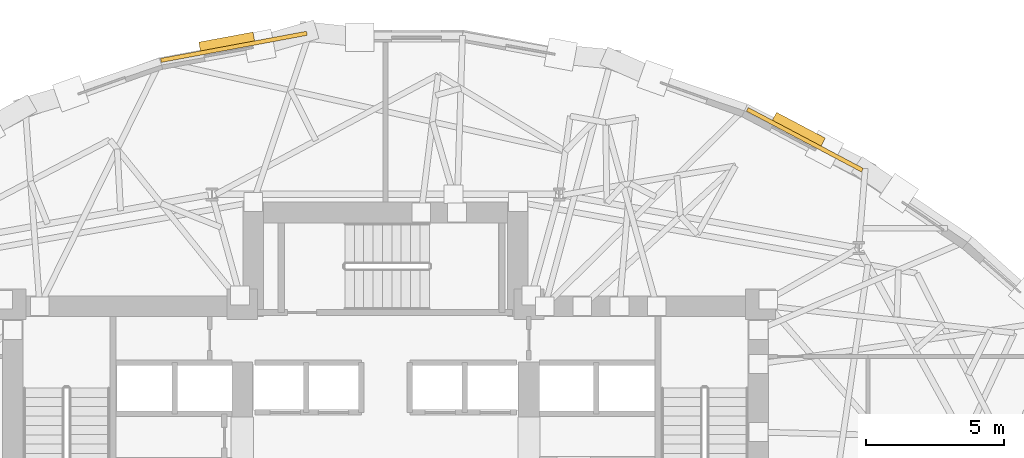
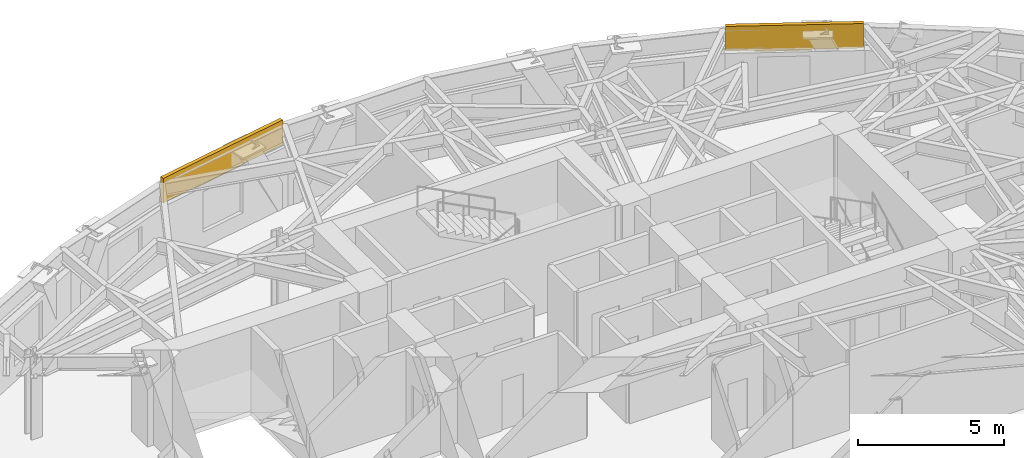
# One storey, part 15 of 15: 2 coverings, 2 shading devices.
"""IFC4 building model written with IfcOpenShell, lengths in metres."""

import ifcopenshell
import ifcopenshell.guid

model = None  # the IFC model being written
_history = None  # IfcOwnerHistory: only IFC2X3 demands one
_inside = {}  # id of a spatial element -> (the spatial element, [elements in it])
_under = {}  # id of a project, library or spatial element -> (it, [spatial elements below it])
_declared = {}  # id of a project -> (the project, [libraries it declares])
_typed = {}  # id of a type object -> (the type object, [elements of that type])
_made_of = {}  # id of a material, layer set ... -> (it, [elements and type objects made of it])


def new_model(schema):
    """Start an empty IFC model of exactly this schema.

    Asked for "IFC4X3", IfcOpenShell would pick the latest addendum, in which some entities
    have other attributes; the version numbers below select the first issue.
    IFC2X3 requires an IfcOwnerHistory on every rooted entity: one is made here for all.
    """
    global model, _history
    if schema == "IFC4X3":
        model = ifcopenshell.file(schema_version=(4, 3, 0, 0))
    else:
        model = ifcopenshell.file(schema=schema)
    _inside.clear()
    _under.clear()
    _declared.clear()
    _typed.clear()
    _made_of.clear()
    _history = None
    if model.schema == "IFC2X3":
        org = make("IfcOrganization", Name="unknown")
        user = make(
            "IfcPersonAndOrganization",
            ThePerson=make("IfcPerson", FamilyName="unknown"),
            TheOrganization=org,
        )
        app = make(
            "IfcApplication",
            ApplicationDeveloper=org,
            Version="unknown",
            ApplicationFullName="unknown",
            ApplicationIdentifier="unknown",
        )
        _history = make(
            "IfcOwnerHistory",
            OwningUser=user,
            OwningApplication=app,
            ChangeAction="ADDED",
            CreationDate=0,
        )
    return model


def make(cls, **values):
    """One entity of the class cls with the attributes given. An attribute that is None is left unset."""
    return model.create_entity(
        cls, **{name: value for name, value in values.items() if value is not None}
    )


def rooted(cls, **values):
    """An entity with a GlobalId (a new one), such as an element, a storey or a relation."""
    return make(cls, GlobalId=ifcopenshell.guid.new(), OwnerHistory=_history, **values)


def si_unit(unit_type, name, prefix=None):
    """IfcSIUnit, for example si_unit("LENGTHUNIT", "METRE", prefix="MILLI")."""
    return make("IfcSIUnit", UnitType=unit_type, Prefix=prefix, Name=name)


def assignment(units):
    """IfcUnitAssignment: the units of a project."""
    return None if units is None else make("IfcUnitAssignment", Units=units)


def point(xyz):
    """IfcCartesianPoint."""
    return None if xyz is None else make("IfcCartesianPoint", Coordinates=xyz)


def direction(xyz):
    """IfcDirection."""
    return None if xyz is None else make("IfcDirection", DirectionRatios=xyz)


def frame(location, z_axis=None, x_axis=None):
    """IfcAxis2Placement3D, a coordinate frame: its origin and axes. An axis left out is left unset."""
    return make(
        "IfcAxis2Placement3D",
        Location=point(location),
        Axis=direction(z_axis),
        RefDirection=direction(x_axis),
    )


def frame_2d(location, x_axis=None):
    """IfcAxis2Placement2D, a coordinate frame in the plane: its origin and x axis."""
    return make(
        "IfcAxis2Placement2D", Location=point(location), RefDirection=direction(x_axis)
    )


def origin():
    """The frame at (0, 0, 0) with its axes left unset."""
    return frame((0.0, 0.0, 0.0))


def origin_2d():
    """The frame at (0, 0) in the plane with its x axis left unset."""
    return frame_2d((0.0, 0.0))


def place(relative_to, where):
    """IfcLocalPlacement: puts the frame where relative to a parent placement (None: the world)."""
    return make(
        "IfcLocalPlacement", PlacementRelTo=relative_to, RelativePlacement=where
    )


def context(
    kind, dimensions, precision=None, world=None, true_north=None, identifier=None
):
    """IfcGeometricRepresentationContext, for example the 3D "Model" context."""
    return make(
        "IfcGeometricRepresentationContext",
        ContextIdentifier=identifier,
        ContextType=kind,
        CoordinateSpaceDimension=dimensions,
        Precision=precision,
        WorldCoordinateSystem=world,
        TrueNorth=true_north,
    )


def subcontext(parent, identifier, kind, view, scale=None):
    """IfcGeometricRepresentationSubContext, for example "Body" below "Model"."""
    return make(
        "IfcGeometricRepresentationSubContext",
        ContextIdentifier=identifier,
        ContextType=kind,
        ParentContext=parent,
        TargetScale=scale,
        TargetView=view,
    )


def project(units=None, contexts=None):
    """IfcProject with its units and contexts."""
    return rooted(
        "IfcProject",
        Name="project",
        RepresentationContexts=contexts,
        UnitsInContext=assignment(units),
    )


def spatial(cls, under=None, at=None, **own):
    """A site, building, storey or space (cls), placed at a placement, below another one or the project."""
    s = rooted(cls, ObjectPlacement=at, **own)
    if under is not None:
        _under.setdefault(under.id(), (under, []))[1].append(s)
    return s


def profile(cls, at=None, kind="AREA", **sizes):
    """A parametric profile (cls). Its sizes go by their IFC names, for example OverallWidth=200.0."""
    return make(cls, ProfileType=kind, Position=at, **sizes)


def rectangle(**sizes):
    """IfcRectangleProfileDef."""
    return profile("IfcRectangleProfileDef", **sizes)


def extrude(swept, where, along, depth):
    """IfcExtrudedAreaSolid: the profile swept, set in the frame where, extruded along a direction by depth."""
    return make(
        "IfcExtrudedAreaSolid",
        SweptArea=swept,
        Position=where,
        ExtrudedDirection=direction(along),
        Depth=depth,
    )


def shape(context_of_items, identifier, shape_type, items):
    """IfcShapeRepresentation: the items that make up one representation, for example the "Body"."""
    return make(
        "IfcShapeRepresentation",
        ContextOfItems=context_of_items,
        RepresentationIdentifier=identifier,
        RepresentationType=shape_type,
        Items=items,
    )


def material(Name=None, Category=None):
    """IfcMaterial."""
    return make("IfcMaterial", Name=Name, Category=Category)


def layer(
    of_material, thickness, ventilated=None, Name=None, Category=None, Priority=None
):
    """IfcMaterialLayer: one layer of a wall or slab, of a material (None: an air gap)."""
    return make(
        "IfcMaterialLayer",
        Material=of_material,
        LayerThickness=thickness,
        IsVentilated=ventilated,
        Name=Name,
        Category=Category,
        Priority=Priority,
    )


def layer_set(layers, Name=None):
    """IfcMaterialLayerSet."""
    return make("IfcMaterialLayerSet", MaterialLayers=layers, LayerSetName=Name)


def made_of(thing, what):
    """Note that an element or type object is made of a material, layer set ...; save() writes the relation."""
    if what is not None:
        _made_of.setdefault(what.id(), (what, []))[1].append(thing)
    return thing


def type_object(cls, material=None, **own):
    """A type object (cls), such as IfcWallType, which elements share."""
    return made_of(rooted(cls, **own), material)


def element(
    cls,
    number,
    at=None,
    inside=None,
    cuts=None,
    type_object=None,
    material=None,
    context=None,
    identifier="Body",
    shape_type=None,
    held_by="IfcProductDefinitionShape",
    body=None,
    shapes=None,
    **own,
):
    """One element of the class cls, such as IfcWall. Its Tag is "e" and its number.

    at: its placement. inside: the storey or other place that contains it. cuts: it is an
    opening in that element (IfcRelVoidsElement). A single representation is given by context,
    identifier, shape_type and body (its items); several are given by shapes. held_by: the class
    of the entity that holds the representations. save() writes the other relations.
    """
    e = rooted(cls, Tag="e%d" % number, ObjectPlacement=at, **own)
    if body is not None:
        shapes = [shape(context, identifier, shape_type, body)]
    if shapes is not None:
        e.Representation = make(held_by, Representations=shapes)
    if inside is not None:
        _inside.setdefault(inside.id(), (inside, []))[1].append(e)
    if cuts is not None:
        rooted(
            "IfcRelVoidsElement", RelatingBuildingElement=cuts, RelatedOpeningElement=e
        )
    if type_object is not None:
        _typed.setdefault(type_object.id(), (type_object, []))[1].append(e)
    return made_of(e, material)


def aggregate(whole, parts):
    """IfcRelAggregates: a whole, such as a stair, and the parts it consists of."""
    return rooted("IfcRelAggregates", RelatingObject=whole, RelatedObjects=parts)


def save(model, path):
    """Write the relations noted so far, then the file.

    IfcRelAggregates (storeys below a building ...), IfcRelContainedInSpatialStructure (elements
    in a storey), IfcRelDefinesByType, IfcRelAssociatesMaterial and IfcRelDeclares: one each for
    every whole, place, type object, material and project.
    """
    for whole, parts in _under.values():
        aggregate(whole, parts)
    for where, things in _inside.values():
        rooted(
            "IfcRelContainedInSpatialStructure",
            RelatedElements=things,
            RelatingStructure=where,
        )
    for kind, things in _typed.values():
        rooted("IfcRelDefinesByType", RelatedObjects=things, RelatingType=kind)
    for what, things in _made_of.values():
        rooted("IfcRelAssociatesMaterial", RelatedObjects=things, RelatingMaterial=what)
    for by, libraries in _declared.values():
        rooted("IfcRelDeclares", RelatingContext=by, RelatedDefinitions=libraries)
    model.write(path)


model = new_model("IFC4")

# Units and contexts
model_context = context("Model", 3, precision=1e-05, world=origin(), true_north=direction((0.0, 1.0)))
body_context = subcontext(model_context, "Body", "Model", "MODEL_VIEW")
ifc_project = project(units=[si_unit("LENGTHUNIT", "METRE"), si_unit("AREAUNIT", "SQUARE_METRE"), si_unit("VOLUMEUNIT", "CUBIC_METRE"), si_unit("PLANEANGLEUNIT", "RADIAN"), si_unit("MASSUNIT", "GRAM", prefix="KILO")], contexts=[model_context])

# Site, building, storey
site_placement = place(None, origin())
site = spatial("IfcSite", under=ifc_project, at=site_placement, CompositionType="ELEMENT")
building_placement = place(site_placement, origin())
building = spatial("IfcBuilding", under=site, at=building_placement, Name="Keldmark Tower", CompositionType="ELEMENT")
storey_placement = place(building_placement, frame((0.0, 0.0, 93.10009765625)))
storey = spatial("IfcBuildingStorey", under=building, at=storey_placement, Name="L24", CompositionType="ELEMENT", Elevation=93.10009765625)

# Shading devices
ifc_material_1 = material(Name="Kasota Buff Limestone Bullnose and Bronze Anodized Aluminum", Category="masonry")
ifc_layer_1 = layer(ifc_material_1, 0.080078125)
ifc_layer_set_1 = layer_set([ifc_layer_1], Name="Kasota Buff Limestone Bullnose and Bronze Anodized Aluminum")
shading_device_type = type_object("IfcShadingDeviceType", Name="Deep-Set Punched Window Stone-and-Metal Sunshade", PredefinedType="AWNING", material=ifc_layer_set_1)
for number, where, z_axis, x_axis, name in (
    (1, (14.9697265625, 15.75390625, 2.35986328125), (0.0, 0.0, 1.0), (0.883969718852, -0.467544154228, 0.0), "L24 Kasota Stone Window Sunshade 05"),
    (2, (-5.75634765625, 18.92919921875, 2.35986328125), (0.0, 0.0, 1.0), (0.983168921925, 0.1826988532, 0.0), "L24 Kasota Stone Window Sunshade 09"),
):
    element("IfcShadingDevice", number, at=place(storey_placement, frame(where, z_axis=z_axis, x_axis=x_axis)), inside=storey, type_object=shading_device_type, Name=name, PredefinedType="AWNING", context=body_context, shape_type="SweptSolid", body=[
        extrude(rectangle(XDim=2.0, YDim=0.419921875, at=origin_2d()), origin(), (0.0, 0.0, 1.0), 0.080078125),
    ])

# Coverings
ifc_material_2 = material(Name="Honed Kasota Buff Dolomitic Limestone", Category="masonry")
ifc_layer_2 = layer(ifc_material_2, 0.074951171875)
ifc_layer_set_2 = layer_set([ifc_layer_2], Name="Honed Kasota Buff Dolomitic Limestone")
covering_type = type_object("IfcCoveringType", Name="Kasota Buff Limestone Spandrel Cladding Band", PredefinedType="CLADDING", material=ifc_layer_set_2)
covering_1_placement = place(storey_placement, frame((15.2119140625, 15.410888671875, 2.45166015625), z_axis=(0.0, 0.0, 1.0), x_axis=(-0.883969718852, 0.467544154228, 0.0)))
element("IfcCovering", 3, at=covering_1_placement, inside=storey, type_object=covering_type, Name="L24 Kasota Limestone Spandrel Band 05", PredefinedType="CLADDING", context=body_context, shape_type="SweptSolid", body=[
    extrude(rectangle(XDim=4.724853515625, YDim=0.14990234375, at=origin_2d()), origin(), (0.0, 0.0, 1.0), 1.028076171875),
])
covering_2_placement = place(storey_placement, frame((-5.50341796875, 18.782958984375, 2.45166015625), z_axis=(0.0, 0.0, 1.0), x_axis=(-0.983168921925, -0.1826988532, 0.0)))
element("IfcCovering", 4, at=covering_2_placement, inside=storey, type_object=covering_type, Name="L24 Kasota Limestone Spandrel Band 09", PredefinedType="CLADDING", context=body_context, shape_type="SweptSolid", body=[
    extrude(rectangle(XDim=5.3837890625, YDim=0.14990234375, at=origin_2d()), origin(), (0.0, 0.0, 1.0), 1.028076171875),
])

save(model, "model.ifc")
